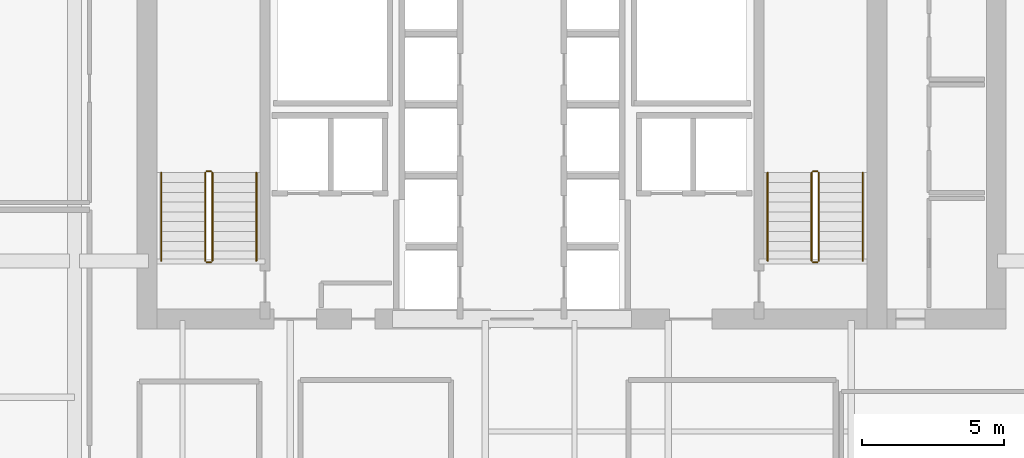
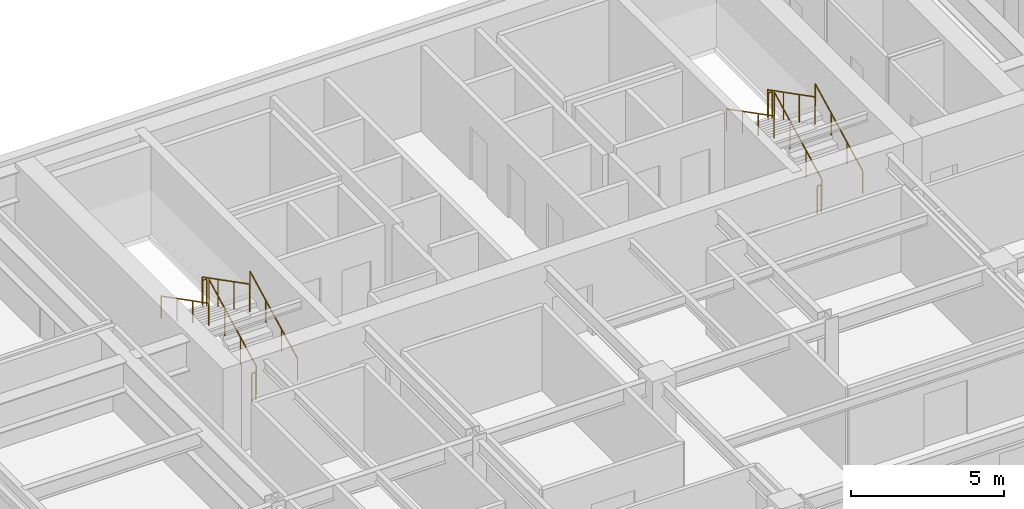
# One storey, part 30 of 30: 12 railings.
"""IFC4 building model written with IfcOpenShell, lengths in metres."""

from ifc_helpers import new_model, si_unit, direction, frame, origin, origin_2d, place, context, subcontext, project, spatial, circle, extrude, material, type_object, element, save


model = new_model("IFC4")

# Units and contexts
model_context = context("Model", 3, precision=1e-05, world=origin(), true_north=direction((0.0, 1.0)))
body_context = subcontext(model_context, "Body", "Model", "MODEL_VIEW")
ifc_project = project(units=[si_unit("LENGTHUNIT", "METRE"), si_unit("AREAUNIT", "SQUARE_METRE"), si_unit("VOLUMEUNIT", "CUBIC_METRE"), si_unit("PLANEANGLEUNIT", "RADIAN"), si_unit("MASSUNIT", "GRAM", prefix="KILO")], contexts=[model_context])

# Site, building, storey
site_placement = place(None, origin())
site = spatial("IfcSite", under=ifc_project, at=site_placement, CompositionType="ELEMENT")
building_placement = place(site_placement, origin())
building = spatial("IfcBuilding", under=site, at=building_placement, Name="Tolvann Quenvar Hotel", CompositionType="ELEMENT")
storey_placement = place(building_placement, frame((0.0, 0.0, 100.89990234375)))
storey = spatial("IfcBuildingStorey", under=building, at=storey_placement, Name="L25", CompositionType="ELEMENT", Elevation=100.89990234375)

# Railings
ifc_material = material(Name="Brushed 316 stainless steel balustrade and handrail", Category="steel")
railing_type_1 = type_object("IfcRailingType", Name="GUARDRAIL", PredefinedType="GUARDRAIL", material=ifc_material)
railing_1_placement = place(storey_placement, frame((12.449951171875, 34.0, 0.177490234375)))
element("IfcRailing", 1, at=railing_1_placement, inside=storey, type_object=railing_type_1, Name="L25 ST-C1 stair guard 1", PredefinedType="GUARDRAIL", context=body_context, shape_type="SweptSolid", body=[
    extrude(circle(Radius=0.02392578125, at=origin_2d()), frame((0.0, 0.0, 1.09619140625), z_axis=(0.0, 0.88919353882, 0.457531256332), x_axis=(-1.0, 0.0, 0.0)), (0.0, 0.0, 1.0), 3.491943359375),
    extrude(circle(Radius=0.02099609375, at=origin_2d()), origin(), (0.0, 0.0, 1.0), 1.072021484375),
    extrude(circle(Radius=0.02099609375, at=origin_2d()), frame((0.0, 1.034912109375, 0.532470703125)), (0.0, 0.0, 1.0), 1.072021484375),
    extrude(circle(Radius=0.02099609375, at=origin_2d()), frame((0.0, 2.070068359375, 1.065185546875)), (0.0, 0.0, 1.0), 1.072021484375),
    extrude(circle(Radius=0.02099609375, at=origin_2d()), frame((0.0, 3.10498046875, 1.59765625)), (0.0, 0.0, 1.0), 1.072021484375),
])
railing_2_placement = place(storey_placement, frame((12.39990234375, 37.155029296875, 1.775146484375)))
element("IfcRailing", 2, at=railing_2_placement, inside=storey, type_object=railing_type_1, Name="L25 ST-C1 stair guard 2", PredefinedType="GUARDRAIL", context=body_context, shape_type="SweptSolid", body=[
    extrude(circle(Radius=0.02392578125, at=origin_2d()), frame((0.0, 0.0, 1.09619140625), z_axis=(-1.0, 0.0, 0.0), x_axis=(0.0, -1.0, 0.0)), (0.0, 0.0, 1.0), 0.14990234375),
    extrude(circle(Radius=0.02099609375, at=origin_2d()), origin(), (0.0, 0.0, 1.0), 1.072021484375),
    extrude(circle(Radius=0.02099609375, at=origin_2d()), frame((-0.14990234375, 0.0, 0.0)), (0.0, 0.0, 1.0), 1.072021484375),
])
railing_3_placement = place(storey_placement, frame((12.199951171875, 37.10498046875, 1.95263671875)))
element("IfcRailing", 3, at=railing_3_placement, inside=storey, type_object=railing_type_1, Name="L25 ST-C1 stair guard 3", PredefinedType="GUARDRAIL", context=body_context, shape_type="SweptSolid", body=[
    extrude(circle(Radius=0.02392578125, at=origin_2d()), frame((0.0, 0.0, 1.09619140625), z_axis=(0.0, -0.889221982265, 0.45747597342), x_axis=(1.0, 0.0, 0.0)), (0.0, 0.0, 1.0), 3.49169921875),
    extrude(circle(Radius=0.02099609375, at=origin_2d()), origin(), (0.0, 0.0, 1.0), 1.072021484375),
    extrude(circle(Radius=0.02099609375, at=origin_2d()), frame((0.0, -1.034912109375, 0.532470703125)), (0.0, 0.0, 1.0), 1.072021484375),
    extrude(circle(Radius=0.02099609375, at=origin_2d()), frame((0.0, -2.070068359375, 1.06494140625)), (0.0, 0.0, 1.0), 1.072021484375),
    extrude(circle(Radius=0.02099609375, at=origin_2d()), frame((0.0, -3.10498046875, 1.597412109375)), (0.0, 0.0, 1.0), 1.072021484375),
])
railing_4_placement = place(storey_placement, frame((12.39990234375, 33.949951171875, 0.0)))
element("IfcRailing", 4, at=railing_4_placement, inside=storey, type_object=railing_type_1, Name="L25 ST-C1 stair guard 4", PredefinedType="GUARDRAIL", context=body_context, shape_type="SweptSolid", body=[
    extrude(circle(Radius=0.02392578125, at=origin_2d()), frame((0.0, 0.0, 1.09619140625), z_axis=(-1.0, 0.0, 0.0), x_axis=(0.0, -1.0, 0.0)), (0.0, 0.0, 1.0), 0.14990234375),
    extrude(circle(Radius=0.02099609375, at=origin_2d()), origin(), (0.0, 0.0, 1.0), 1.072021484375),
    extrude(circle(Radius=0.02099609375, at=origin_2d()), frame((-0.14990234375, 0.0, 0.0)), (0.0, 0.0, 1.0), 1.072021484375),
])
railing_5_placement = place(storey_placement, frame((33.800048828125, 34.0, 0.177490234375)))
element("IfcRailing", 5, at=railing_5_placement, inside=storey, type_object=railing_type_1, Name="L25 ST-C2 stair guard 1", PredefinedType="GUARDRAIL", context=body_context, shape_type="SweptSolid", body=[
    extrude(circle(Radius=0.02392578125, at=origin_2d()), frame((0.0, 0.0, 1.09619140625), z_axis=(0.0, 0.88919353882, 0.457531256332), x_axis=(-1.0, 0.0, 0.0)), (0.0, 0.0, 1.0), 3.491943359375),
    extrude(circle(Radius=0.02099609375, at=origin_2d()), origin(), (0.0, 0.0, 1.0), 1.072021484375),
    extrude(circle(Radius=0.02099609375, at=origin_2d()), frame((0.0, 1.034912109375, 0.532470703125)), (0.0, 0.0, 1.0), 1.072021484375),
    extrude(circle(Radius=0.02099609375, at=origin_2d()), frame((0.0, 2.070068359375, 1.065185546875)), (0.0, 0.0, 1.0), 1.072021484375),
    extrude(circle(Radius=0.02099609375, at=origin_2d()), frame((0.0, 3.10498046875, 1.59765625)), (0.0, 0.0, 1.0), 1.072021484375),
])
railing_6_placement = place(storey_placement, frame((33.75, 37.155029296875, 1.775146484375)))
element("IfcRailing", 6, at=railing_6_placement, inside=storey, type_object=railing_type_1, Name="L25 ST-C2 stair guard 2", PredefinedType="GUARDRAIL", context=body_context, shape_type="SweptSolid", body=[
    extrude(circle(Radius=0.02392578125, at=origin_2d()), frame((0.0, 0.0, 1.09619140625), z_axis=(-1.0, 0.0, 0.0), x_axis=(0.0, -1.0, 0.0)), (0.0, 0.0, 1.0), 0.14990234375),
    extrude(circle(Radius=0.02099609375, at=origin_2d()), origin(), (0.0, 0.0, 1.0), 1.072021484375),
    extrude(circle(Radius=0.02099609375, at=origin_2d()), frame((-0.14990234375, 0.0, 0.0)), (0.0, 0.0, 1.0), 1.072021484375),
])
railing_7_placement = place(storey_placement, frame((33.550048828125, 37.10498046875, 1.95263671875)))
element("IfcRailing", 7, at=railing_7_placement, inside=storey, type_object=railing_type_1, Name="L25 ST-C2 stair guard 3", PredefinedType="GUARDRAIL", context=body_context, shape_type="SweptSolid", body=[
    extrude(circle(Radius=0.02392578125, at=origin_2d()), frame((0.0, 0.0, 1.09619140625), z_axis=(0.0, -0.889221982265, 0.45747597342), x_axis=(1.0, 0.0, 0.0)), (0.0, 0.0, 1.0), 3.49169921875),
    extrude(circle(Radius=0.02099609375, at=origin_2d()), origin(), (0.0, 0.0, 1.0), 1.072021484375),
    extrude(circle(Radius=0.02099609375, at=origin_2d()), frame((0.0, -1.034912109375, 0.532470703125)), (0.0, 0.0, 1.0), 1.072021484375),
    extrude(circle(Radius=0.02099609375, at=origin_2d()), frame((0.0, -2.070068359375, 1.06494140625)), (0.0, 0.0, 1.0), 1.072021484375),
    extrude(circle(Radius=0.02099609375, at=origin_2d()), frame((0.0, -3.10498046875, 1.597412109375)), (0.0, 0.0, 1.0), 1.072021484375),
])
railing_8_placement = place(storey_placement, frame((33.75, 33.949951171875, 0.0)))
element("IfcRailing", 8, at=railing_8_placement, inside=storey, type_object=railing_type_1, Name="L25 ST-C2 stair guard 4", PredefinedType="GUARDRAIL", context=body_context, shape_type="SweptSolid", body=[
    extrude(circle(Radius=0.02392578125, at=origin_2d()), frame((0.0, 0.0, 1.09619140625), z_axis=(-1.0, 0.0, 0.0), x_axis=(0.0, -1.0, 0.0)), (0.0, 0.0, 1.0), 0.14990234375),
    extrude(circle(Radius=0.02099609375, at=origin_2d()), origin(), (0.0, 0.0, 1.0), 1.072021484375),
    extrude(circle(Radius=0.02099609375, at=origin_2d()), frame((-0.14990234375, 0.0, 0.0)), (0.0, 0.0, 1.0), 1.072021484375),
])
railing_type_2 = type_object("IfcRailingType", Name="HANDRAIL", PredefinedType="HANDRAIL", material=ifc_material)
railing_9_placement = place(storey_placement, frame((14.0, 34.0, 0.177490234375)))
element("IfcRailing", 9, at=railing_9_placement, inside=storey, type_object=railing_type_2, Name="L25 ST-C1 stair handrail 1", PredefinedType="HANDRAIL", context=body_context, shape_type="SweptSolid", body=[
    extrude(circle(Radius=0.02392578125, at=origin_2d()), frame((0.0, 0.0, 0.8759765625), z_axis=(0.0, 0.88919353882, 0.457531256332), x_axis=(-1.0, 0.0, 0.0)), (0.0, 0.0, 1.0), 3.491943359375),
    extrude(circle(Radius=0.02099609375, at=origin_2d()), origin(), (0.0, 0.0, 1.0), 0.851806640625),
    extrude(circle(Radius=0.02099609375, at=origin_2d()), frame((0.0, 1.034912109375, 0.532470703125)), (0.0, 0.0, 1.0), 0.851806640625),
    extrude(circle(Radius=0.02099609375, at=origin_2d()), frame((0.0, 2.070068359375, 1.065185546875)), (0.0, 0.0, 1.0), 0.851806640625),
    extrude(circle(Radius=0.02099609375, at=origin_2d()), frame((0.0, 3.10498046875, 1.59765625)), (0.0, 0.0, 1.0), 0.851806640625),
])
railing_10_placement = place(storey_placement, frame((10.64990234375, 37.10498046875, 1.95263671875)))
element("IfcRailing", 10, at=railing_10_placement, inside=storey, type_object=railing_type_2, Name="L25 ST-C1 stair handrail 2", PredefinedType="HANDRAIL", context=body_context, shape_type="SweptSolid", body=[
    extrude(circle(Radius=0.02392578125, at=origin_2d()), frame((0.0, 0.0, 0.8759765625), z_axis=(0.0, -0.889221982265, 0.45747597342), x_axis=(1.0, 0.0, 0.0)), (0.0, 0.0, 1.0), 3.49169921875),
    extrude(circle(Radius=0.02099609375, at=origin_2d()), origin(), (0.0, 0.0, 1.0), 0.851806640625),
    extrude(circle(Radius=0.02099609375, at=origin_2d()), frame((0.0, -1.034912109375, 0.532470703125)), (0.0, 0.0, 1.0), 0.851806640625),
    extrude(circle(Radius=0.02099609375, at=origin_2d()), frame((0.0, -2.070068359375, 1.06494140625)), (0.0, 0.0, 1.0), 0.851806640625),
    extrude(circle(Radius=0.02099609375, at=origin_2d()), frame((0.0, -3.10498046875, 1.597412109375)), (0.0, 0.0, 1.0), 0.851806640625),
])
railing_11_placement = place(storey_placement, frame((35.35009765625, 34.0, 0.177490234375)))
element("IfcRailing", 11, at=railing_11_placement, inside=storey, type_object=railing_type_2, Name="L25 ST-C2 stair handrail 1", PredefinedType="HANDRAIL", context=body_context, shape_type="SweptSolid", body=[
    extrude(circle(Radius=0.02392578125, at=origin_2d()), frame((0.0, 0.0, 0.8759765625), z_axis=(0.0, 0.88919353882, 0.457531256332), x_axis=(-1.0, 0.0, 0.0)), (0.0, 0.0, 1.0), 3.491943359375),
    extrude(circle(Radius=0.02099609375, at=origin_2d()), origin(), (0.0, 0.0, 1.0), 0.851806640625),
    extrude(circle(Radius=0.02099609375, at=origin_2d()), frame((0.0, 1.034912109375, 0.532470703125)), (0.0, 0.0, 1.0), 0.851806640625),
    extrude(circle(Radius=0.02099609375, at=origin_2d()), frame((0.0, 2.070068359375, 1.065185546875)), (0.0, 0.0, 1.0), 0.851806640625),
    extrude(circle(Radius=0.02099609375, at=origin_2d()), frame((0.0, 3.10498046875, 1.59765625)), (0.0, 0.0, 1.0), 0.851806640625),
])
railing_12_placement = place(storey_placement, frame((32.0, 37.10498046875, 1.95263671875)))
element("IfcRailing", 12, at=railing_12_placement, inside=storey, type_object=railing_type_2, Name="L25 ST-C2 stair handrail 2", PredefinedType="HANDRAIL", context=body_context, shape_type="SweptSolid", body=[
    extrude(circle(Radius=0.02392578125, at=origin_2d()), frame((0.0, 0.0, 0.8759765625), z_axis=(0.0, -0.889221982265, 0.45747597342), x_axis=(1.0, 0.0, 0.0)), (0.0, 0.0, 1.0), 3.49169921875),
    extrude(circle(Radius=0.02099609375, at=origin_2d()), origin(), (0.0, 0.0, 1.0), 0.851806640625),
    extrude(circle(Radius=0.02099609375, at=origin_2d()), frame((0.0, -1.034912109375, 0.532470703125)), (0.0, 0.0, 1.0), 0.851806640625),
    extrude(circle(Radius=0.02099609375, at=origin_2d()), frame((0.0, -2.070068359375, 1.06494140625)), (0.0, 0.0, 1.0), 0.851806640625),
    extrude(circle(Radius=0.02099609375, at=origin_2d()), frame((0.0, -3.10498046875, 1.597412109375)), (0.0, 0.0, 1.0), 0.851806640625),
])

save(model, "model.ifc")
